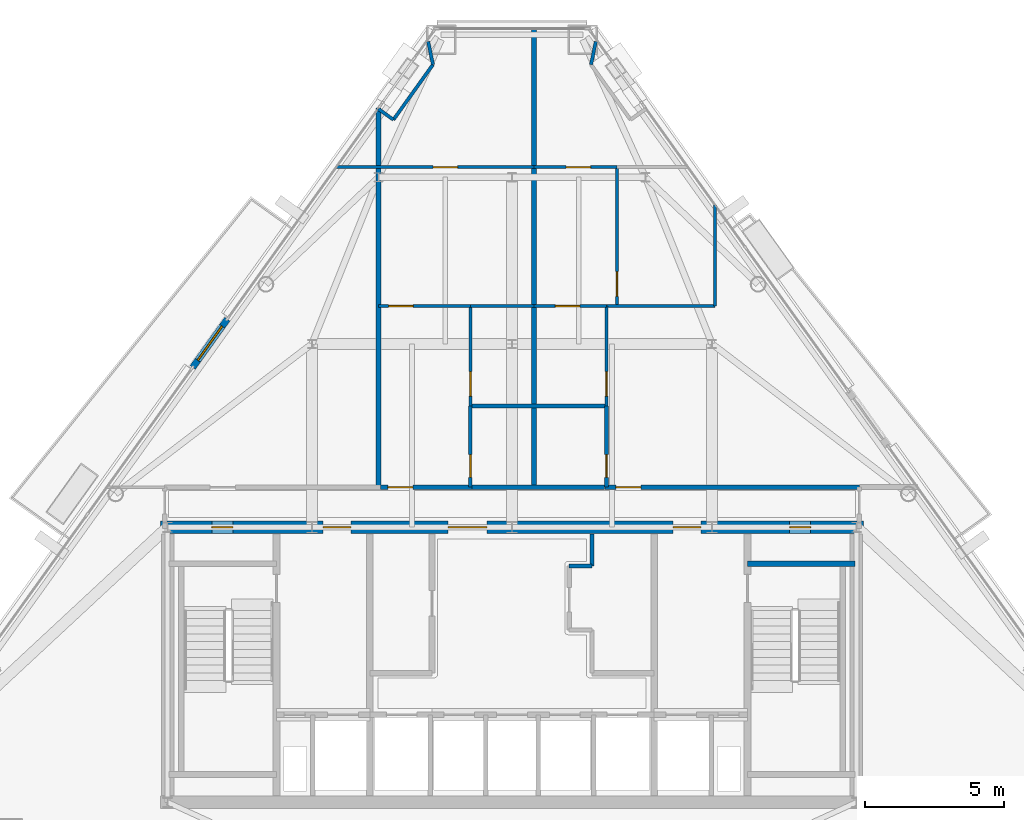
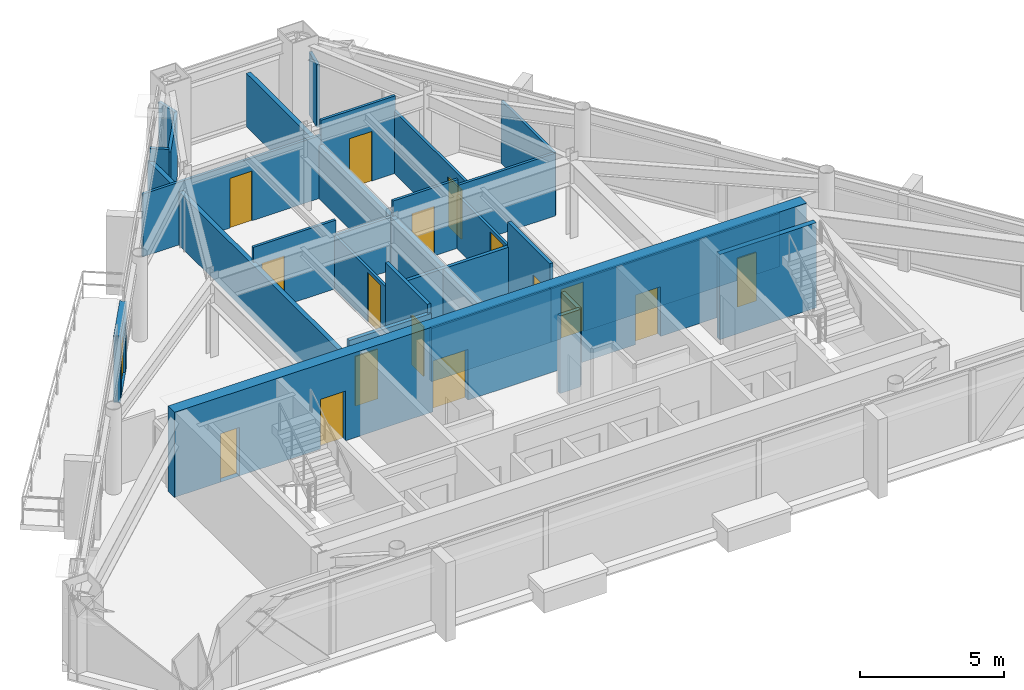
# One storey, part 8 of 11: 27 walls, 17 doors, 17 openings.
"""IFC4 building model written with IfcOpenShell, lengths in metres."""

from ifc_helpers import new_model, si_unit, direction, frame, frame_2d, origin, place, context, subcontext, project, spatial, rectangle, extrude, material, layer, layer_set, type_object, element, fill, save


model = new_model("IFC4")

# Units and contexts
model_context = context("Model", 3, precision=1e-05, world=origin(), true_north=direction((0.0, 1.0)))
body_context = subcontext(model_context, "Body", "Model", "MODEL_VIEW")
ifc_project = project(units=[si_unit("LENGTHUNIT", "METRE"), si_unit("AREAUNIT", "SQUARE_METRE"), si_unit("VOLUMEUNIT", "CUBIC_METRE"), si_unit("PLANEANGLEUNIT", "RADIAN"), si_unit("MASSUNIT", "GRAM", prefix="KILO")], contexts=[model_context])

# Site, building, storey
site_placement = place(None, origin())
site = spatial("IfcSite", under=ifc_project, at=site_placement, CompositionType="ELEMENT")
building_placement = place(site_placement, origin())
building = spatial("IfcBuilding", under=site, at=building_placement, Name="Talgorran Terracotta Tower", CompositionType="ELEMENT")
storey_placement = place(building_placement, frame((0.0, 0.0, 240.60009765625)))
storey = spatial("IfcBuildingStorey", under=building, at=storey_placement, Name="L63", CompositionType="ELEMENT", Elevation=240.60009765625)

# Wall, opening, door
ifc_material_1 = material(Name="Concrete C40/50", Category="concrete")
ifc_layer_1 = layer(ifc_material_1, 0.239990234375, Name="WT_BALCONY_SPAND")
ifc_layer_set_1 = layer_set([ifc_layer_1], Name="Concrete C40/50")
wall_type_1 = type_object("IfcWallType", Name="WT_BALCONY_SPAND", PredefinedType="STANDARD", material=ifc_layer_set_1)
wall_1_placement = place(storey_placement, frame((-10.248779296875, 3.293212890625, -0.01513671875), z_axis=(0.0, 0.0, 1.0), x_axis=(-0.58265081445, -0.812722602381, 0.0)))
wall_1 = element("IfcWall", 1, at=wall_1_placement, inside=storey, type_object=wall_type_1, Name="WL-L63-BALP-BAL-NW", PredefinedType="STANDARD", context=body_context, shape_type="SweptSolid", body=[
    extrude(rectangle(XDim=2.140380859375, YDim=0.239990234375, at=frame_2d((1.0703125, 0.0))), origin(), (0.0, 0.0, 1.0), 2.81298828125),
])
opening_1_placement = place(wall_1_placement, frame((0.320068359375, 0.0, 0.014892578125)))
opening_1 = element("IfcOpeningElement", 2, at=opening_1_placement, cuts=wall_1, Name="Opening D-BAL-L63-2", PredefinedType="OPENING", context=body_context, shape_type="SweptSolid", body=[
    extrude(rectangle(XDim=1.506, YDim=2.203951171875, at=frame_2d((0.75, 1.10205078125))), frame((0.0, 0.1298828125, 0.0), z_axis=(0.0, -1.0, 0.0), x_axis=(1.0, 0.0, 0.0)), (0.0, 0.0, 1.0), 0.260009765625),
])
ifc_material_2 = material(Name="Thermally Broken Aluminium", Category="aluminium")
door_type_1 = type_object("IfcDoorType", Name="DT_BALC_1500", OperationType="SLIDING_TO_RIGHT", PredefinedType="DOOR", material=ifc_material_2)
door_1_placement = place(opening_1_placement, origin())
door_1 = element("IfcDoor", 3, at=door_1_placement, inside=storey, type_object=door_type_1, Name="DR-L63-BAL-BAL-NW", OperationType="SLIDING_TO_RIGHT", OverallHeight=2.199951171875, OverallWidth=1.5, PredefinedType="DOOR", context=body_context, shape_type="SweptSolid", body=[
    extrude(rectangle(XDim=1.5, YDim=2.199951171875, at=frame_2d((0.75, 1.10009765625))), frame((0.0, 0.02490234375, 0.0), z_axis=(0.0, -1.0, 0.0), x_axis=(1.0, 0.0, 0.0)), (0.0, 0.0, 1.0), 0.050048828125),
])
fill(opening_1, door_1)

# Wall
ifc_material_3 = material(Name="Concrete C50/60", Category="concrete")
ifc_layer_2 = layer(ifc_material_3, 0.199951171875, Name="WT_CORE_200")
ifc_layer_set_2 = layer_set([ifc_layer_2], Name="Concrete C50/60")
wall_type_2 = type_object("IfcWallType", Name="WT_CORE_200", PredefinedType="SOLIDWALL", material=ifc_layer_set_2)
wall_2_placement = place(storey_placement, frame((8.47998046875, -5.52001953125, 0.0), z_axis=(0.0, 0.0, 1.0), x_axis=(1.0, 0.0, 0.0)))
element("IfcWall", 4, at=wall_2_placement, inside=storey, type_object=wall_type_2, Name="WL-L63-CW-ST2-N", PredefinedType="SOLIDWALL", context=body_context, shape_type="SweptSolid", body=[
    extrude(rectangle(XDim=3.8701171875, YDim=0.199951171875, at=frame_2d((1.93505859375, 0.0))), origin(), (0.0, 0.0, 1.0), 3.599853515625),
])

# Wall, openings, doors
ifc_material_4 = material(Name="Concrete C65/80", Category="concrete")
ifc_layer_3 = layer(ifc_material_4, 0.449951171875, Name="WT_CORE_EXT")
ifc_layer_set_3 = layer_set([ifc_layer_3], Name="Concrete C65/80")
wall_type_3 = type_object("IfcWallType", Name="WT_CORE_EXT", PredefinedType="SHEAR", material=ifc_layer_set_3)
wall_3_placement = place(storey_placement, frame((-12.64990234375, -4.199951171875, 0.0), z_axis=(0.0, 0.0, 1.0), x_axis=(1.0, 0.0, 0.0)))
wall_3 = element("IfcWall", 5, at=wall_3_placement, inside=storey, type_object=wall_type_3, Name="WL-L63-CW-OUT-N", PredefinedType="SHEAR", context=body_context, shape_type="SweptSolid", body=[
    extrude(rectangle(XDim=25.2998046875, YDim=0.449951171875, at=frame_2d((12.64990234375, 0.0))), origin(), (0.0, 0.0, 1.0), 3.599853515625),
])
opening_2_placement = place(wall_3_placement, frame((1.85009765625, 0.0, 0.0)))
opening_2 = element("IfcOpeningElement", 6, at=opening_2_placement, cuts=wall_3, Name="Opening DR-CSN1", PredefinedType="OPENING", context=body_context, shape_type="SweptSolid", body=[
    extrude(rectangle(XDim=0.756, YDim=2.054048828125, at=frame_2d((0.375, 1.027099609375))), frame((0.0, 0.23486328125, 0.0), z_axis=(0.0, -1.0, 0.0), x_axis=(1.0, 0.0, 0.0)), (0.0, 0.0, 1.0), 0.469970703125),
])
opening_3_placement = place(wall_3_placement, frame((22.64990234375, 0.0, 0.0)))
opening_3 = element("IfcOpeningElement", 7, at=opening_3_placement, cuts=wall_3, Name="Opening DR-CSN2", PredefinedType="OPENING", context=body_context, shape_type="SweptSolid", body=[
    extrude(rectangle(XDim=0.756, YDim=2.054048828125, at=frame_2d((0.375, 1.027099609375))), frame((0.0, 0.23486328125, 0.0), z_axis=(0.0, -1.0, 0.0), x_axis=(1.0, 0.0, 0.0)), (0.0, 0.0, 1.0), 0.469970703125),
])
opening_4_placement = place(wall_3_placement, frame((5.85009765625, 0.0, 0.0)))
opening_4 = element("IfcOpeningElement", 8, at=opening_4_placement, cuts=wall_3, Name="Opening DR-FFLW-N", PredefinedType="OPENING", context=body_context, shape_type="SweptSolid", body=[
    extrude(rectangle(XDim=1.006, YDim=2.10409765625, at=frame_2d((0.5, 1.052001953125))), frame((0.0, 0.23486328125, 0.0), z_axis=(0.0, -1.0, 0.0), x_axis=(1.0, 0.0, 0.0)), (0.0, 0.0, 1.0), 0.469970703125),
])
opening_5_placement = place(wall_3_placement, frame((10.35009765625, 0.0, 0.0)))
opening_5 = element("IfcOpeningElement", 9, at=opening_5_placement, cuts=wall_3, Name="Opening DR-PLL-N", PredefinedType="OPENING", context=body_context, shape_type="SweptSolid", body=[
    extrude(rectangle(XDim=1.40590234375, YDim=2.15390234375, at=frame_2d((0.699951171875, 1.076904296875))), frame((0.0, 0.23486328125, 0.0), z_axis=(0.0, -1.0, 0.0), x_axis=(1.0, 0.0, 0.0)), (0.0, 0.0, 1.0), 0.469970703125),
])
opening_6_placement = place(wall_3_placement, frame((18.449951171875, 0.0, 0.0)))
opening_6 = element("IfcOpeningElement", 10, at=opening_6_placement, cuts=wall_3, Name="Opening DR-FFLE-N", PredefinedType="OPENING", context=body_context, shape_type="SweptSolid", body=[
    extrude(rectangle(XDim=1.006, YDim=2.10409765625, at=frame_2d((0.5, 1.052001953125))), frame((0.0, 0.23486328125, 0.0), z_axis=(0.0, -1.0, 0.0), x_axis=(1.0, 0.0, 0.0)), (0.0, 0.0, 1.0), 0.469970703125),
])
ifc_material_5 = material(Name="Acoustic Glazed Timber", Category="wood")
door_type_2 = type_object("IfcDoorType", Name="DT_DOUBLE_1400", OperationType="DOUBLE_DOOR_SINGLE_SWING", PredefinedType="DOOR", material=ifc_material_5)
door_2_placement = place(opening_5_placement, origin())
door_2 = element("IfcDoor", 11, at=door_2_placement, inside=storey, type_object=door_type_2, Name="DR-PLL-N", OperationType="DOUBLE_DOOR_SINGLE_SWING", OverallHeight=2.14990234375, OverallWidth=1.39990234375, PredefinedType="DOOR", context=body_context, shape_type="SweptSolid", body=[
    extrude(rectangle(XDim=1.39990234375, YDim=2.14990234375, at=frame_2d((0.699951171875, 1.074951171875))), frame((0.0, 0.02490234375, 0.0), z_axis=(0.0, -1.0, 0.0), x_axis=(1.0, 0.0, 0.0)), (0.0, 0.0, 1.0), 0.050048828125),
])
fill(opening_5, door_2)
ifc_material_6 = material(Name="Fire-Rated Pressed Steel", Category="steel")
door_type_3 = type_object("IfcDoorType", Name="DT_FIRE_1000", OperationType="NOTDEFINED", PredefinedType="DOOR", material=ifc_material_6)
door_3_placement = place(opening_4_placement, origin())
door_3 = element("IfcDoor", 12, at=door_3_placement, inside=storey, type_object=door_type_3, Name="DR-FFLW-N", OperationType="SINGLE_SWING_LEFT", OverallHeight=2.10009765625, OverallWidth=1.0, PredefinedType="DOOR", context=body_context, shape_type="SweptSolid", body=[
    extrude(rectangle(XDim=1.0, YDim=2.10009765625, at=frame_2d((0.5, 1.050048828125))), frame((0.0, 0.02490234375, 0.0), z_axis=(0.0, -1.0, 0.0), x_axis=(1.0, 0.0, 0.0)), (0.0, 0.0, 1.0), 0.050048828125),
])
fill(opening_4, door_3)
door_4_placement = place(opening_6_placement, origin())
door_4 = element("IfcDoor", 13, at=door_4_placement, inside=storey, type_object=door_type_3, Name="DR-FFLE-N", OperationType="SINGLE_SWING_RIGHT", OverallHeight=2.10009765625, OverallWidth=1.0, PredefinedType="DOOR", context=body_context, shape_type="SweptSolid", body=[
    extrude(rectangle(XDim=1.0, YDim=2.10009765625, at=frame_2d((0.5, 1.050048828125))), frame((0.0, 0.02490234375, 0.0), z_axis=(0.0, -1.0, 0.0), x_axis=(1.0, 0.0, 0.0)), (0.0, 0.0, 1.0), 0.050048828125),
])
fill(opening_6, door_4)
door_type_4 = type_object("IfcDoorType", Name="DT_RISER_750", OperationType="NOTDEFINED", PredefinedType="DOOR", material=ifc_material_6)
door_5_placement = place(opening_2_placement, origin())
door_5 = element("IfcDoor", 14, at=door_5_placement, inside=storey, type_object=door_type_4, Name="DR-CSN1", OperationType="SINGLE_SWING_LEFT", OverallHeight=2.050048828125, OverallWidth=0.75, PredefinedType="DOOR", context=body_context, shape_type="SweptSolid", body=[
    extrude(rectangle(XDim=0.75, YDim=2.050048828125, at=frame_2d((0.375, 1.02490234375))), frame((0.0, 0.02490234375, 0.0), z_axis=(0.0, -1.0, 0.0), x_axis=(1.0, 0.0, 0.0)), (0.0, 0.0, 1.0), 0.050048828125),
])
fill(opening_2, door_5)
door_6_placement = place(opening_3_placement, origin())
door_6 = element("IfcDoor", 15, at=door_6_placement, inside=storey, type_object=door_type_4, Name="DR-CSN2", OperationType="SINGLE_SWING_RIGHT", OverallHeight=2.050048828125, OverallWidth=0.75, PredefinedType="DOOR", context=body_context, shape_type="SweptSolid", body=[
    extrude(rectangle(XDim=0.75, YDim=2.050048828125, at=frame_2d((0.375, 1.02490234375))), frame((0.0, 0.02490234375, 0.0), z_axis=(0.0, -1.0, 0.0), x_axis=(1.0, 0.0, 0.0)), (0.0, 0.0, 1.0), 0.050048828125),
])
fill(opening_3, door_6)

# Walls
ifc_material_7 = material(Name="Fire-Rated Steel Stud Plasterboard", Category="steel")
ifc_layer_4 = layer(ifc_material_7, 0.14990234375, Name="WT_FIRE_150")
ifc_layer_set_4 = layer_set([ifc_layer_4], Name="Fire-Rated Steel Stud Plasterboard")
wall_type_4 = type_object("IfcWallType", Name="WT_FIRE_150", PredefinedType="PARTITIONING", material=ifc_layer_set_4)
wall_4_placement = place(storey_placement, frame((2.06005859375, -5.60009765625, 0.0), z_axis=(0.0, 0.0, 1.0), x_axis=(1.0, 0.0, 0.0)))
element("IfcWall", 16, at=wall_4_placement, inside=storey, type_object=wall_type_4, Name="WL-L63-CW-H-E3D", PredefinedType="PARTITIONING", context=body_context, shape_type="SweptSolid", body=[
    extrude(rectangle(XDim=0.81982421875, YDim=0.14990234375, at=frame_2d((0.409912109375, 0.0))), origin(), (0.0, 0.0, 1.0), 3.27978515625),
])
wall_5_placement = place(storey_placement, frame((2.8798828125, -5.60009765625, 0.0), z_axis=(0.0, 0.0, 1.0), x_axis=(0.0, 1.0, 0.0)))
element("IfcWall", 17, at=wall_5_placement, inside=storey, type_object=wall_type_4, Name="WL-L63-CW-V-E3E", PredefinedType="PARTITIONING", context=body_context, shape_type="SweptSolid", body=[
    extrude(rectangle(XDim=1.150146484375, YDim=0.14990234375, at=frame_2d((0.5751953125, 0.0))), origin(), (0.0, 0.0, 1.0), 3.27978515625),
])

# Wall, opening, door
wall_6_placement = place(storey_placement, frame((3.340087890625, -2.760009765625, 0.0), z_axis=(0.0, 0.0, 1.0), x_axis=(1.0, 0.0, 0.0)))
wall_6 = element("IfcWall", 18, at=wall_6_placement, inside=storey, type_object=wall_type_4, Name="WL-L63-W-L63-R07", PredefinedType="PARTITIONING", context=body_context, shape_type="SweptSolid", body=[
    extrude(rectangle(XDim=9.159912109375, YDim=0.14990234375, at=frame_2d((4.580078125, 0.0))), origin(), (0.0, 0.0, 1.0), 2.2548828125),
])
opening_7_placement = place(wall_6_placement, frame((0.3994140625, 0.0, 0.0)))
opening_7 = element("IfcOpeningElement", 19, at=opening_7_placement, cuts=wall_6, Name="Opening DR-L63-R11", PredefinedType="OPENING", context=body_context, shape_type="SweptSolid", body=[
    extrude(rectangle(XDim=0.90590234375, YDim=2.10409765625, at=frame_2d((0.449951171875, 1.052001953125))), frame((0.0, 0.0849609375, 0.0), z_axis=(0.0, -1.0, 0.0), x_axis=(1.0, 0.0, 0.0)), (0.0, 0.0, 1.0), 0.169921875),
])
ifc_material_8 = material(Name="Fire-Rated Timber Core", Category="wood")
door_type_5 = type_object("IfcDoorType", Name="DT_FIRE_900", OperationType="NOTDEFINED", PredefinedType="DOOR", material=ifc_material_8)
door_7_placement = place(opening_7_placement, origin())
door_7 = element("IfcDoor", 20, at=door_7_placement, inside=storey, type_object=door_type_5, Name="DR-L63-R11", OperationType="SINGLE_SWING_LEFT", OverallHeight=2.10009765625, OverallWidth=0.89990234375, PredefinedType="DOOR", context=body_context, shape_type="SweptSolid", body=[
    extrude(rectangle(XDim=0.89990234375, YDim=2.10009765625, at=frame_2d((0.449951171875, 1.050048828125))), frame((0.0, 0.02490234375, 0.0), z_axis=(0.0, -1.0, 0.0), x_axis=(1.0, 0.0, 0.0)), (0.0, 0.0, 1.0), 0.050048828125),
])
fill(opening_7, door_7)

wall_7_placement = place(storey_placement, frame((-4.738037109375, -2.760009765625, 0.0), z_axis=(0.0, 0.0, 1.0), x_axis=(1.0, 0.0, 0.0)))
wall_7 = element("IfcWall", 21, at=wall_7_placement, inside=storey, type_object=wall_type_4, Name="WL-L63-W-L63-R05", PredefinedType="PARTITIONING", context=body_context, shape_type="SweptSolid", body=[
    extrude(rectangle(XDim=3.298095703125, YDim=0.14990234375, at=frame_2d((1.64892578125, 0.0))), origin(), (0.0, 0.0, 1.0), 2.8994140625),
])
opening_8_placement = place(wall_7_placement, frame((0.273193359375, 0.0, 0.0)))
opening_8 = element("IfcOpeningElement", 22, at=opening_8_placement, cuts=wall_7, Name="Opening DR-L63-R06", PredefinedType="OPENING", context=body_context, shape_type="SweptSolid", body=[
    extrude(rectangle(XDim=0.90590234375, YDim=2.10409765625, at=frame_2d((0.449951171875, 1.052001953125))), frame((0.0, 0.0849609375, 0.0), z_axis=(0.0, -1.0, 0.0), x_axis=(1.0, 0.0, 0.0)), (0.0, 0.0, 1.0), 0.169921875),
])
door_8_placement = place(opening_8_placement, origin())
door_8 = element("IfcDoor", 23, at=door_8_placement, inside=storey, type_object=door_type_5, Name="DR-L63-R06", OperationType="SINGLE_SWING_RIGHT", OverallHeight=2.10009765625, OverallWidth=0.89990234375, PredefinedType="DOOR", context=body_context, shape_type="SweptSolid", body=[
    extrude(rectangle(XDim=0.89990234375, YDim=2.10009765625, at=frame_2d((0.449951171875, 1.050048828125))), frame((0.0, 0.02490234375, 0.0), z_axis=(0.0, -1.0, 0.0), x_axis=(1.0, 0.0, 0.0)), (0.0, 0.0, 1.0), 0.050048828125),
])
fill(opening_8, door_8)

# Walls
wall_8_placement = place(storey_placement, frame((-1.43798828125, -2.760009765625, 0.0), z_axis=(0.0, 0.0, 1.0), x_axis=(1.0, 0.0, 0.0)))
element("IfcWall", 24, at=wall_8_placement, inside=storey, type_object=wall_type_4, Name="WL-L63-W-L63-R06", PredefinedType="PARTITIONING", context=body_context, shape_type="SweptSolid", body=[
    extrude(rectangle(XDim=4.77587890625, YDim=0.14990234375, at=frame_2d((2.387939453125, 0.0))), origin(), (0.0, 0.0, 1.0), 2.2548828125),
])
ifc_material_9 = material(Name="Acoustic Stud and Plasterboard")
ifc_layer_5 = layer(ifc_material_9, 0.179931640625, Name="WT_PARTY_200")
ifc_layer_set_5 = layer_set([ifc_layer_5], Name="Acoustic Stud and Plasterboard")
wall_type_5 = type_object("IfcWallType", Name="WT_PARTY_200", PredefinedType="PARTITIONING", material=ifc_layer_set_5)
wall_9_placement = place(storey_placement, frame((-4.800048828125, -2.739990234375, 0.0), z_axis=(0.0, 0.0, 1.0), x_axis=(0.0, 1.0, 0.0)))
element("IfcWall", 25, at=wall_9_placement, inside=storey, type_object=wall_type_5, Name="WL-L63-W-L63-R11", PredefinedType="PARTITIONING", context=body_context, shape_type="SweptSolid", body=[
    extrude(rectangle(XDim=13.63330078125, YDim=0.179931640625, at=frame_2d((6.816650390625, 0.0))), origin(), (0.0, 0.0, 1.0), 2.2548828125),
])
wall_10_placement = place(storey_placement, frame((0.800048828125, -2.760009765625, 0.0), z_axis=(0.0, 0.0, 1.0), x_axis=(0.0, 1.0, 0.0)))
element("IfcWall", 26, at=wall_10_placement, inside=storey, type_object=wall_type_5, Name="WL-L63-W-L63-R21", PredefinedType="PARTITIONING", context=body_context, shape_type="SweptSolid", body=[
    extrude(rectangle(XDim=16.508544921875, YDim=0.179931640625, at=frame_2d((8.25439453125, 0.0))), origin(), (0.0, 0.0, 1.0), 2.2548828125),
])

# Wall, opening, door
ifc_material_10 = material(Name="Lightweight Steel Stud Partition", Category="steel")
ifc_layer_6 = layer(ifc_material_10, 0.10498046875, Name="WT_PART_110")
ifc_layer_set_6 = layer_set([ifc_layer_6], Name="Lightweight Steel Stud Partition")
wall_type_6 = type_object("IfcWallType", Name="WT_PART_110", PredefinedType="PARTITIONING", material=ifc_layer_set_6)
wall_11_placement = place(storey_placement, frame((-6.329345703125, 8.760009765625, 0.0), z_axis=(0.0, 0.0, 1.0), x_axis=(1.0, 0.0, 0.0)))
wall_11 = element("IfcWall", 27, at=wall_11_placement, inside=storey, type_object=wall_type_6, Name="WL-L63-W-L63-R20", PredefinedType="PARTITIONING", context=body_context, shape_type="SweptSolid", body=[
    extrude(rectangle(XDim=7.12939453125, YDim=0.10498046875, at=frame_2d((3.564697265625, 0.0))), origin(), (0.0, 0.0, 1.0), 2.65283203125),
])
opening_9_placement = place(wall_11_placement, frame((3.489501953125, 0.0, 0.0)))
opening_9 = element("IfcOpeningElement", 28, at=opening_9_placement, cuts=wall_11, Name="Opening DR-L63-R08", PredefinedType="OPENING", context=body_context, shape_type="SweptSolid", body=[
    extrude(rectangle(XDim=0.8858828125, YDim=2.10409765625, at=frame_2d((0.43994140625, 1.052001953125))), frame((0.0, 0.0625, 0.0), z_axis=(0.0, -1.0, 0.0), x_axis=(1.0, 0.0, 0.0)), (0.0, 0.0, 1.0), 0.125),
])
ifc_material_11 = material(Name="Solid-Core Painted Timber", Category="wood")
door_type_6 = type_object("IfcDoorType", Name="DT_INT_880", OperationType="NOTDEFINED", PredefinedType="DOOR", material=ifc_material_11)
door_9_placement = place(opening_9_placement, origin())
door_9 = element("IfcDoor", 29, at=door_9_placement, inside=storey, type_object=door_type_6, Name="DR-L63-R08", OperationType="SINGLE_SWING_RIGHT", OverallHeight=2.10009765625, OverallWidth=0.8798828125, PredefinedType="DOOR", context=body_context, shape_type="SweptSolid", body=[
    extrude(rectangle(XDim=0.8798828125, YDim=2.10009765625, at=frame_2d((0.43994140625, 1.050048828125))), frame((0.0, 0.02490234375, 0.0), z_axis=(0.0, -1.0, 0.0), x_axis=(1.0, 0.0, 0.0)), (0.0, 0.0, 1.0), 0.050048828125),
])
fill(opening_9, door_9)

wall_12_placement = place(storey_placement, frame((3.780029296875, 3.760009765625, 0.0), z_axis=(0.0, 0.0, 1.0), x_axis=(0.0, 1.0, 0.0)))
wall_12 = element("IfcWall", 30, at=wall_12_placement, inside=storey, type_object=wall_type_6, Name="WL-L63-W-L63-R30", PredefinedType="PARTITIONING", context=body_context, shape_type="SweptSolid", body=[
    extrude(rectangle(XDim=5.0, YDim=0.10498046875, at=frame_2d((2.5, 0.0))), origin(), (0.0, 0.0, 1.0), 2.65283203125),
])
opening_10_placement = place(wall_12_placement, frame((0.357666015625, 0.0, 0.0)))
opening_10 = element("IfcOpeningElement", 31, at=opening_10_placement, cuts=wall_12, Name="Opening DR-L63-R13", PredefinedType="OPENING", context=body_context, shape_type="SweptSolid", body=[
    extrude(rectangle(XDim=0.8858828125, YDim=2.10409765625, at=frame_2d((0.43994140625, 1.052001953125))), frame((0.0, 0.0625, 0.0), z_axis=(0.0, -1.0, 0.0), x_axis=(1.0, 0.0, 0.0)), (0.0, 0.0, 1.0), 0.125),
])
door_10_placement = place(opening_10_placement, origin())
door_10 = element("IfcDoor", 32, at=door_10_placement, inside=storey, type_object=door_type_6, Name="DR-L63-R13", OperationType="SINGLE_SWING_LEFT", OverallHeight=2.10009765625, OverallWidth=0.8798828125, PredefinedType="DOOR", context=body_context, shape_type="SweptSolid", body=[
    extrude(rectangle(XDim=0.8798828125, YDim=2.10009765625, at=frame_2d((0.43994140625, 1.050048828125))), frame((0.0, 0.02490234375, 0.0), z_axis=(0.0, -1.0, 0.0), x_axis=(1.0, 0.0, 0.0)), (0.0, 0.0, 1.0), 0.050048828125),
])
fill(opening_10, door_10)

# Wall
wall_13_placement = place(storey_placement, frame((7.300048828125, 3.760009765625, 0.0), z_axis=(0.0, 0.0, 1.0), x_axis=(0.0, 1.0, 0.0)))
element("IfcWall", 33, at=wall_13_placement, inside=storey, type_object=wall_type_6, Name="WL-L63-W-L63-R29", PredefinedType="PARTITIONING", context=body_context, shape_type="SweptSolid", body=[
    extrude(rectangle(XDim=3.646240234375, YDim=0.10498046875, at=frame_2d((1.8232421875, 0.0))), origin(), (0.0, 0.0, 1.0), 2.65283203125),
])

# Wall, opening, door
wall_14_placement = place(storey_placement, frame((-1.5, 0.159912109375, 0.0), z_axis=(0.0, 0.0, 1.0), x_axis=(0.0, 1.0, 0.0)))
wall_14 = element("IfcWall", 34, at=wall_14_placement, inside=storey, type_object=wall_type_6, Name="WL-L63-W-L63-R16", PredefinedType="PARTITIONING", context=body_context, shape_type="SweptSolid", body=[
    extrude(rectangle(XDim=3.60009765625, YDim=0.10498046875, at=frame_2d((1.800048828125, 0.0))), origin(), (0.0, 0.0, 1.0), 2.2548828125),
])
opening_11_placement = place(wall_14_placement, frame((0.360107421875, 0.0, 0.0)))
opening_11 = element("IfcOpeningElement", 35, at=opening_11_placement, cuts=wall_14, Name="Opening DR-L63-R05", PredefinedType="OPENING", context=body_context, shape_type="SweptSolid", body=[
    extrude(rectangle(XDim=0.8858828125, YDim=2.10409765625, at=frame_2d((0.43994140625, 1.052001953125))), frame((0.0, 0.0625, 0.0), z_axis=(0.0, -1.0, 0.0), x_axis=(1.0, 0.0, 0.0)), (0.0, 0.0, 1.0), 0.125),
])
door_11_placement = place(opening_11_placement, origin())
door_11 = element("IfcDoor", 36, at=door_11_placement, inside=storey, type_object=door_type_6, Name="DR-L63-R05", OperationType="SINGLE_SWING_LEFT", OverallHeight=2.10009765625, OverallWidth=0.8798828125, PredefinedType="DOOR", context=body_context, shape_type="SweptSolid", body=[
    extrude(rectangle(XDim=0.8798828125, YDim=2.10009765625, at=frame_2d((0.43994140625, 1.050048828125))), frame((0.0, 0.02490234375, 0.0), z_axis=(0.0, -1.0, 0.0), x_axis=(1.0, 0.0, 0.0)), (0.0, 0.0, 1.0), 0.050048828125),
])
fill(opening_11, door_11)

wall_15_placement = place(storey_placement, frame((3.39990234375, 0.159912109375, 0.0), z_axis=(0.0, 0.0, 1.0), x_axis=(0.0, 1.0, 0.0)))
wall_15 = element("IfcWall", 37, at=wall_15_placement, inside=storey, type_object=wall_type_6, Name="WL-L63-W-L63-R25", PredefinedType="PARTITIONING", context=body_context, shape_type="SweptSolid", body=[
    extrude(rectangle(XDim=3.60009765625, YDim=0.10498046875, at=frame_2d((1.800048828125, 0.0))), origin(), (0.0, 0.0, 1.0), 2.2548828125),
])
opening_12_placement = place(wall_15_placement, frame((0.360107421875, 0.0, 0.0)))
opening_12 = element("IfcOpeningElement", 38, at=opening_12_placement, cuts=wall_15, Name="Opening DR-L63-R10", PredefinedType="OPENING", context=body_context, shape_type="SweptSolid", body=[
    extrude(rectangle(XDim=0.8858828125, YDim=2.10409765625, at=frame_2d((0.43994140625, 1.052001953125))), frame((0.0, 0.0625, 0.0), z_axis=(0.0, -1.0, 0.0), x_axis=(1.0, 0.0, 0.0)), (0.0, 0.0, 1.0), 0.125),
])
door_12_placement = place(opening_12_placement, origin())
door_12 = element("IfcDoor", 39, at=door_12_placement, inside=storey, type_object=door_type_6, Name="DR-L63-R10", OperationType="SINGLE_SWING_RIGHT", OverallHeight=2.10009765625, OverallWidth=0.8798828125, PredefinedType="DOOR", context=body_context, shape_type="SweptSolid", body=[
    extrude(rectangle(XDim=0.8798828125, YDim=2.10009765625, at=frame_2d((0.43994140625, 1.050048828125))), frame((0.0, 0.02490234375, 0.0), z_axis=(0.0, -1.0, 0.0), x_axis=(1.0, 0.0, 0.0)), (0.0, 0.0, 1.0), 0.050048828125),
])
fill(opening_12, door_12)

# Wall
wall_16_placement = place(storey_placement, frame((3.39990234375, 3.760009765625, 0.0), z_axis=(0.0, 0.0, 1.0), x_axis=(1.0, 0.0, 0.0)))
element("IfcWall", 40, at=wall_16_placement, inside=storey, type_object=wall_type_6, Name="WL-L63-W-L63-R28", PredefinedType="PARTITIONING", context=body_context, shape_type="SweptSolid", body=[
    extrude(rectangle(XDim=3.900146484375, YDim=0.10498046875, at=frame_2d((1.9501953125, 0.0))), origin(), (0.0, 0.0, 1.0), 2.65283203125),
])

# Wall, opening, door
wall_17_placement = place(storey_placement, frame((-4.800048828125, 3.760009765625, 0.0), z_axis=(0.0, 0.0, 1.0), x_axis=(1.0, 0.0, 0.0)))
wall_17 = element("IfcWall", 41, at=wall_17_placement, inside=storey, type_object=wall_type_6, Name="WL-L63-W-L63-R19", PredefinedType="PARTITIONING", context=body_context, shape_type="SweptSolid", body=[
    extrude(rectangle(XDim=3.300048828125, YDim=0.10498046875, at=frame_2d((1.64990234375, 0.0))), origin(), (0.0, 0.0, 1.0), 2.8994140625),
])
opening_13_placement = place(wall_17_placement, frame((0.35791015625, 0.0, 0.0)))
opening_13 = element("IfcOpeningElement", 42, at=opening_13_placement, cuts=wall_17, Name="Opening DR-L63-R07", PredefinedType="OPENING", context=body_context, shape_type="SweptSolid", body=[
    extrude(rectangle(XDim=0.8858828125, YDim=2.10409765625, at=frame_2d((0.43994140625, 1.052001953125))), frame((0.0, 0.0625, 0.0), z_axis=(0.0, -1.0, 0.0), x_axis=(1.0, 0.0, 0.0)), (0.0, 0.0, 1.0), 0.125),
])
door_13_placement = place(opening_13_placement, origin())
door_13 = element("IfcDoor", 43, at=door_13_placement, inside=storey, type_object=door_type_6, Name="DR-L63-R07", OperationType="SINGLE_SWING_LEFT", OverallHeight=2.10009765625, OverallWidth=0.8798828125, PredefinedType="DOOR", context=body_context, shape_type="SweptSolid", body=[
    extrude(rectangle(XDim=0.8798828125, YDim=2.10009765625, at=frame_2d((0.43994140625, 1.050048828125))), frame((0.0, 0.02490234375, 0.0), z_axis=(0.0, -1.0, 0.0), x_axis=(1.0, 0.0, 0.0)), (0.0, 0.0, 1.0), 0.050048828125),
])
fill(opening_13, door_13)

wall_18_placement = place(storey_placement, frame((0.800048828125, 8.760009765625, 0.0), z_axis=(0.0, 0.0, 1.0), x_axis=(1.0, 0.0, 0.0)))
wall_18 = element("IfcWall", 44, at=wall_18_placement, inside=storey, type_object=wall_type_6, Name="WL-L63-W-L63-R31", PredefinedType="PARTITIONING", context=body_context, shape_type="SweptSolid", body=[
    extrude(rectangle(XDim=2.97998046875, YDim=0.10498046875, at=frame_2d((1.489990234375, 0.0))), origin(), (0.0, 0.0, 1.0), 3.27978515625),
])
opening_14_placement = place(wall_18_placement, frame((1.14892578125, 0.0, 0.0)))
opening_14 = element("IfcOpeningElement", 45, at=opening_14_placement, cuts=wall_18, Name="Opening DR-L63-R12", PredefinedType="OPENING", context=body_context, shape_type="SweptSolid", body=[
    extrude(rectangle(XDim=0.8858828125, YDim=2.10409765625, at=frame_2d((0.43994140625, 1.052001953125))), frame((0.0, 0.0625, 0.0), z_axis=(0.0, -1.0, 0.0), x_axis=(1.0, 0.0, 0.0)), (0.0, 0.0, 1.0), 0.125),
])
door_14_placement = place(opening_14_placement, origin())
door_14 = element("IfcDoor", 46, at=door_14_placement, inside=storey, type_object=door_type_6, Name="DR-L63-R12", OperationType="SINGLE_SWING_RIGHT", OverallHeight=2.10009765625, OverallWidth=0.8798828125, PredefinedType="DOOR", context=body_context, shape_type="SweptSolid", body=[
    extrude(rectangle(XDim=0.8798828125, YDim=2.10009765625, at=frame_2d((0.43994140625, 1.050048828125))), frame((0.0, 0.02490234375, 0.0), z_axis=(0.0, -1.0, 0.0), x_axis=(1.0, 0.0, 0.0)), (0.0, 0.0, 1.0), 0.050048828125),
])
fill(opening_14, door_14)

wall_19_placement = place(storey_placement, frame((0.800048828125, 3.760009765625, 0.0), z_axis=(0.0, 0.0, 1.0), x_axis=(1.0, 0.0, 0.0)))
wall_19 = element("IfcWall", 47, at=wall_19_placement, inside=storey, type_object=wall_type_6, Name="WL-L63-W-L63-R26", PredefinedType="PARTITIONING", context=body_context, shape_type="SweptSolid", body=[
    extrude(rectangle(XDim=2.599853515625, YDim=0.10498046875, at=frame_2d((1.2998046875, 0.0))), origin(), (0.0, 0.0, 1.0), 2.8994140625),
])
opening_15_placement = place(wall_19_placement, frame((0.760009765625, 0.0, 0.0)))
opening_15 = element("IfcOpeningElement", 48, at=opening_15_placement, cuts=wall_19, Name="Opening DR-L63-R14", PredefinedType="OPENING", context=body_context, shape_type="SweptSolid", body=[
    extrude(rectangle(XDim=0.8858828125, YDim=2.10409765625, at=frame_2d((0.43994140625, 1.052001953125))), frame((0.0, 0.0625, 0.0), z_axis=(0.0, -1.0, 0.0), x_axis=(1.0, 0.0, 0.0)), (0.0, 0.0, 1.0), 0.125),
])
door_15_placement = place(opening_15_placement, origin())
door_15 = element("IfcDoor", 49, at=door_15_placement, inside=storey, type_object=door_type_6, Name="DR-L63-R14", OperationType="SINGLE_SWING_RIGHT", OverallHeight=2.10009765625, OverallWidth=0.8798828125, PredefinedType="DOOR", context=body_context, shape_type="SweptSolid", body=[
    extrude(rectangle(XDim=0.8798828125, YDim=2.10009765625, at=frame_2d((0.43994140625, 1.050048828125))), frame((0.0, 0.02490234375, 0.0), z_axis=(0.0, -1.0, 0.0), x_axis=(1.0, 0.0, 0.0)), (0.0, 0.0, 1.0), 0.050048828125),
])
fill(opening_15, door_15)

# Walls
wall_20_placement = place(storey_placement, frame((-1.5, 3.760009765625, 0.0), z_axis=(0.0, 0.0, 1.0), x_axis=(1.0, 0.0, 0.0)))
element("IfcWall", 50, at=wall_20_placement, inside=storey, type_object=wall_type_6, Name="WL-L63-W-L63-R17", PredefinedType="PARTITIONING", context=body_context, shape_type="SweptSolid", body=[
    extrude(rectangle(XDim=2.300048828125, YDim=0.10498046875, at=frame_2d((1.14990234375, 0.0))), origin(), (0.0, 0.0, 1.0), 2.2548828125),
])
ifc_material_12 = material(Name="Insulated Steel Stud Plasterboard", Category="steel")
ifc_layer_7 = layer(ifc_material_12, 0.1201171875, Name="WT_PART_120")
ifc_layer_set_7 = layer_set([ifc_layer_7], Name="Insulated Steel Stud Plasterboard")
wall_type_7 = type_object("IfcWallType", Name="WT_PART_120", PredefinedType="PARTITIONING", material=ifc_layer_set_7)
wall_21_placement = place(storey_placement, frame((-2.84521484375, 12.45263671875, 0.0), z_axis=(0.0, 0.0, 1.0), x_axis=(-0.582627952247, -0.812738992088, 0.0)))
element("IfcWall", 51, at=wall_21_placement, inside=storey, type_object=wall_type_7, Name="WL-L63-BW-L63-15", PredefinedType="PARTITIONING", context=body_context, shape_type="SweptSolid", body=[
    extrude(rectangle(XDim=2.44140625, YDim=0.1201171875, at=frame_2d((1.220703125, 0.0))), origin(), (0.0, 0.0, 1.0), 2.65283203125),
])
for number, where, z_axis, x_axis, name in (
    (52, (-3.017333984375, 13.283447265625, 0.0), (0.0, 0.0, 1.0), (0.20286250341, -0.979207232771, 0.0), "WL-L63-BW-L63-14"),
    (53, (2.84521484375, 12.45263671875, 0.0), (0.0, 0.0, 1.0), (0.20286250341, 0.979207232771, 0.0), "WL-L63-BW-L63-19"),
):
    element("IfcWall", number, at=place(storey_placement, frame(where, z_axis=z_axis, x_axis=x_axis)), inside=storey, type_object=wall_type_7, Name=name, PredefinedType="PARTITIONING", context=body_context, shape_type="SweptSolid", body=[
        extrude(rectangle(XDim=0.848388671875, YDim=0.1201171875, at=frame_2d((0.42431640625, 0.0))), origin(), (0.0, 0.0, 1.0), 2.65283203125),
    ])
wall_22_placement = place(storey_placement, frame((-4.267578125, 10.468505859375, 0.0), z_axis=(0.0, 0.0, 1.0), x_axis=(-0.812797002259, 0.582547022238, 0.0)))
element("IfcWall", 54, at=wall_22_placement, inside=storey, type_object=wall_type_7, Name="WL-L63-BW-L63-16", PredefinedType="PARTITIONING", context=body_context, shape_type="SweptSolid", body=[
    extrude(rectangle(XDim=0.670166015625, YDim=0.1201171875, at=frame_2d((0.3349609375, 0.0))), origin(), (0.0, 0.0, 1.0), 2.7978515625),
])

# Wall, opening, door
ifc_material_13 = material(Name="Moisture-Resistant Stud Wall")
ifc_layer_8 = layer(ifc_material_13, 0.135009765625, Name="WT_PART_135")
ifc_layer_set_8 = layer_set([ifc_layer_8], Name="Moisture-Resistant Stud Wall")
wall_type_8 = type_object("IfcWallType", Name="WT_PART_135", PredefinedType="PARTITIONING", material=ifc_layer_set_8)
wall_23_placement = place(storey_placement, frame((-1.5, -2.760009765625, 0.0), z_axis=(0.0, 0.0, 1.0), x_axis=(0.0, 1.0, 0.0)))
wall_23 = element("IfcWall", 55, at=wall_23_placement, inside=storey, type_object=wall_type_8, Name="WL-L63-W-L63-R14", PredefinedType="PARTITIONING", context=body_context, shape_type="SweptSolid", body=[
    extrude(rectangle(XDim=2.919921875, YDim=0.135009765625, at=frame_2d((1.4599609375, 0.0))), origin(), (0.0, 0.0, 1.0), 3.27978515625),
])
opening_16_placement = place(wall_23_placement, frame((0.357421875, 0.0, 0.0)))
opening_16 = element("IfcOpeningElement", 56, at=opening_16_placement, cuts=wall_23, Name="Opening DR-L63-R04", PredefinedType="OPENING", context=body_context, shape_type="SweptSolid", body=[
    extrude(rectangle(XDim=0.826068359375, YDim=2.10409765625, at=frame_2d((0.41015625, 1.052001953125))), frame((0.0, 0.07763671875, 0.0), z_axis=(0.0, -1.0, 0.0), x_axis=(1.0, 0.0, 0.0)), (0.0, 0.0, 1.0), 0.155029296875),
])
ifc_material_14 = material(Name="Moisture-Resistant Solid Timber", Category="wood")
door_type_7 = type_object("IfcDoorType", Name="DT_INT_820", OperationType="NOTDEFINED", PredefinedType="DOOR", material=ifc_material_14)
door_16_placement = place(opening_16_placement, origin())
door_16 = element("IfcDoor", 57, at=door_16_placement, inside=storey, type_object=door_type_7, Name="DR-L63-R04", OperationType="SINGLE_SWING_RIGHT", OverallHeight=2.10009765625, OverallWidth=0.820068359375, PredefinedType="DOOR", context=body_context, shape_type="SweptSolid", body=[
    extrude(rectangle(XDim=0.820068359375, YDim=2.10009765625, at=frame_2d((0.41015625, 1.050048828125))), frame((0.0, 0.02490234375, 0.0), z_axis=(0.0, -1.0, 0.0), x_axis=(1.0, 0.0, 0.0)), (0.0, 0.0, 1.0), 0.050048828125),
])
fill(opening_16, door_16)

wall_24_placement = place(storey_placement, frame((3.39990234375, -2.760009765625, 0.0), z_axis=(0.0, 0.0, 1.0), x_axis=(0.0, 1.0, 0.0)))
wall_24 = element("IfcWall", 58, at=wall_24_placement, inside=storey, type_object=wall_type_8, Name="WL-L63-W-L63-R24", PredefinedType="PARTITIONING", context=body_context, shape_type="SweptSolid", body=[
    extrude(rectangle(XDim=2.919921875, YDim=0.135009765625, at=frame_2d((1.4599609375, 0.0))), origin(), (0.0, 0.0, 1.0), 3.27978515625),
])
opening_17_placement = place(wall_24_placement, frame((0.357421875, 0.0, 0.0)))
opening_17 = element("IfcOpeningElement", 59, at=opening_17_placement, cuts=wall_24, Name="Opening DR-L63-R09", PredefinedType="OPENING", context=body_context, shape_type="SweptSolid", body=[
    extrude(rectangle(XDim=0.826068359375, YDim=2.10409765625, at=frame_2d((0.41015625, 1.052001953125))), frame((0.0, 0.07763671875, 0.0), z_axis=(0.0, -1.0, 0.0), x_axis=(1.0, 0.0, 0.0)), (0.0, 0.0, 1.0), 0.155029296875),
])
door_17_placement = place(opening_17_placement, origin())
door_17 = element("IfcDoor", 60, at=door_17_placement, inside=storey, type_object=door_type_7, Name="DR-L63-R09", OperationType="SINGLE_SWING_LEFT", OverallHeight=2.10009765625, OverallWidth=0.820068359375, PredefinedType="DOOR", context=body_context, shape_type="SweptSolid", body=[
    extrude(rectangle(XDim=0.820068359375, YDim=2.10009765625, at=frame_2d((0.41015625, 1.050048828125))), frame((0.0, 0.02490234375, 0.0), z_axis=(0.0, -1.0, 0.0), x_axis=(1.0, 0.0, 0.0)), (0.0, 0.0, 1.0), 0.050048828125),
])
fill(opening_17, door_17)

# Wall
wall_25_placement = place(storey_placement, frame((-1.5, 0.159912109375, 0.0), z_axis=(0.0, 0.0, 1.0), x_axis=(1.0, 0.0, 0.0)))
element("IfcWall", 61, at=wall_25_placement, inside=storey, type_object=wall_type_8, Name="WL-L63-W-L63-R23", PredefinedType="PARTITIONING", context=body_context, shape_type="SweptSolid", body=[
    extrude(rectangle(XDim=4.89990234375, YDim=0.135009765625, at=frame_2d((2.449951171875, 0.0))), origin(), (0.0, 0.0, 1.0), 2.2548828125),
])

save(model, "model.ifc")
